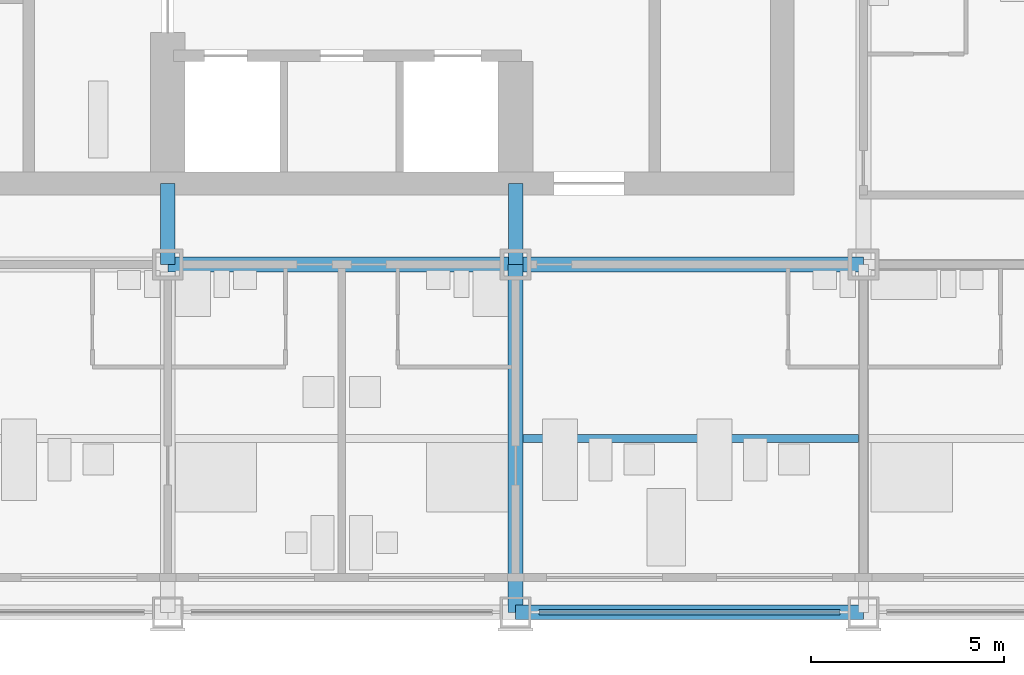
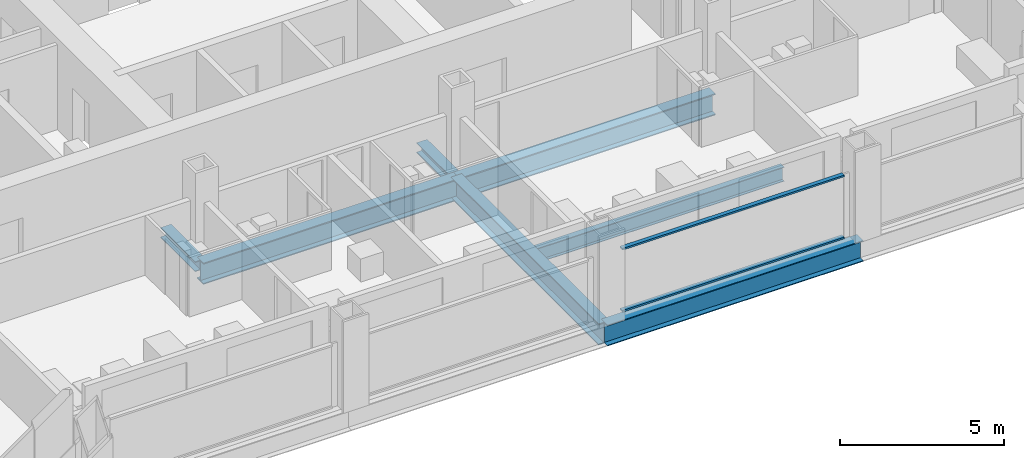
# One storey, part 3 of 13: 5 beams, 4 members, 1 element without a shape of its own.
"""IFC4 building model written with IfcOpenShell, lengths in metres."""

from ifc_helpers import new_model, si_unit, direction, frame, origin, origin_2d, place, context, subcontext, project, spatial, rectangle, i_section, extrude, material, material_profile, profile_set, type_object, element, aggregate, save


model = new_model("IFC4")

# Units and contexts
model_context = context("Model", 3, precision=1e-05, world=origin(), true_north=direction((0.0, 1.0)))
body_context = subcontext(model_context, "Body", "Model", "MODEL_VIEW")
ifc_project = project(units=[si_unit("LENGTHUNIT", "METRE"), si_unit("AREAUNIT", "SQUARE_METRE"), si_unit("VOLUMEUNIT", "CUBIC_METRE"), si_unit("PLANEANGLEUNIT", "RADIAN"), si_unit("MASSUNIT", "GRAM", prefix="KILO")], contexts=[model_context])

# Site, building, storey
site_placement = place(None, origin())
site = spatial("IfcSite", under=ifc_project, at=site_placement, CompositionType="ELEMENT")
building_placement = place(site_placement, origin())
building = spatial("IfcBuilding", under=site, at=building_placement, Name="Loomwork Tower", CompositionType="ELEMENT")
storey_placement = place(building_placement, frame((0.0, 0.0, 218.199951171875)))
storey = spatial("IfcBuildingStorey", under=building, at=storey_placement, Name="L60", CompositionType="ELEMENT", Elevation=218.199951171875)

# Beams
ifc_material_1 = material(Name="Steel ASTM A992", Category="steel")
ifc_material_profile_1 = material_profile(ifc_material_1, i_section(OverallWidth=0.383544921875, OverallDepth=0.794921875, WebThickness=0.02099609375, FlangeThickness=0.0380859375, at=origin_2d()), Name="W30x235")
ifc_profile_set_1 = profile_set([ifc_material_profile_1], Name="Steel ASTM A992")
beam_type_1 = type_object("IfcBeamType", Name="CORE FLANK GIRDER W30x235", PredefinedType="BEAM", material=ifc_profile_set_1)
for number, where, z_axis, x_axis, name in (
    (1, (18.0, 9.0, -0.597412109375), (1.0, 0.0, 0.0), (0.0, 1.0, 0.0), "Core Flank Girder E/4-E/5 L60"),
    (2, (27.0, 9.0, -0.597412109375), (1.0, 0.0, 0.0), (0.0, 1.0, 0.0), "Core Flank Girder E/5-E/6 L60"),
    (3, (27.0, 0.0, -0.597412109375), (0.0, 1.0, 0.0), (-1.0, 0.0, 0.0), "Core Flank Girder D/5-E/5 L60"),
):
    element("IfcBeam", number, at=place(storey_placement, frame(where, z_axis=z_axis, x_axis=x_axis)), inside=storey, type_object=beam_type_1, Name=name, PredefinedType="BEAM", context=body_context, shape_type="SweptSolid", body=[
        extrude(i_section(OverallWidth=0.383544921875, OverallDepth=0.794921875, WebThickness=0.02099609375, FlangeThickness=0.0380859375, at=origin_2d()), origin(), (0.0, 0.0, 1.0), 9.0),
    ])

# Members
ifc_material_2 = material(Name="Steel ASTM A992", Category="steel")
ifc_material_profile_2 = material_profile(ifc_material_2, i_section(OverallWidth=0.373291015625, OverallDepth=0.373291015625, WebThickness=0.016357421875, FlangeThickness=0.026123046875, at=origin_2d()), Name="W14x132")
ifc_profile_set_2 = profile_set([ifc_material_profile_2], Name="Steel ASTM A992")
member_type_1 = type_object("IfcMemberType", Name="CORE LINK STRUT W14x132", PredefinedType="STRUT", material=ifc_profile_set_2)
for number, where, z_axis, x_axis, name in (
    (4, (27.0, 9.0, -0.38671875), (0.0, 1.0, 0.0), (-1.0, 0.0, 0.0), "Core link strut E/5-27.000,11.100 L60"),
    (5, (18.0, 9.0, -0.38671875), (0.0, 1.0, 0.0), (-1.0, 0.0, 0.0), "Core link strut E/4-18.000,11.100 L60"),
):
    element("IfcMember", number, at=place(storey_placement, frame(where, z_axis=z_axis, x_axis=x_axis)), inside=storey, type_object=member_type_1, Name=name, PredefinedType="STRUT", context=body_context, shape_type="SweptSolid", body=[
        extrude(i_section(OverallWidth=0.373291015625, OverallDepth=0.373291015625, WebThickness=0.016357421875, FlangeThickness=0.026123046875, at=origin_2d()), origin(), (0.0, 0.0, 1.0), 2.10009765625),
    ])

# Beam
ifc_material_3 = material(Name="Steel ASTM A992", Category="steel")
ifc_material_profile_3 = material_profile(ifc_material_3, i_section(OverallWidth=0.2109375, OverallDepth=0.53857421875, WebThickness=0.011474609375, FlangeThickness=0.018798828125, at=origin_2d()), Name="W21x73")
ifc_profile_set_3 = profile_set([ifc_material_profile_3], Name="Steel ASTM A992")
beam_type_2 = type_object("IfcBeamType", Name="FLOOR JOIST W21x73", PredefinedType="JOIST", material=ifc_profile_set_3)
beam_1_placement = place(storey_placement, frame((27.19091796875, 4.5, -0.46923828125), z_axis=(1.0, 0.0, 0.0), x_axis=(0.0, 1.0, 0.0)))
element("IfcBeam", 6, at=beam_1_placement, inside=storey, type_object=beam_type_2, Name="Floor Joist 27.000,4.500-36.000,4.500 L60", PredefinedType="JOIST", context=body_context, shape_type="SweptSolid", body=[
    extrude(i_section(OverallWidth=0.2109375, OverallDepth=0.53857421875, WebThickness=0.011474609375, FlangeThickness=0.018798828125, at=origin_2d()), origin(), (0.0, 0.0, 1.0), 8.676025390625),
])

# Curtain wall, members
ifc_material_4 = material(Name="Aluminium curtain wall frame", Category="aluminium")
curtain_wall_type = type_object("IfcCurtainWallType", Name="Outer skin glazing hotel", PredefinedType="NOTDEFINED", material=ifc_material_4)
curtain_wall_placement = place(storey_placement, origin())
curtain_wall = element("IfcCurtainWall", 7, at=curtain_wall_placement, inside=storey, type_object=curtain_wall_type, Name="Outer skin glazing hotel cw/S-27", PredefinedType="NOTDEFINED")
ifc_material_5 = material(Name="Aluminium curtain wall frame", Category="aluminium")
ifc_material_profile_4 = material_profile(ifc_material_5, rectangle(XDim=0.14990234375, YDim=0.06494140625, at=origin_2d()), Name="AL 65x150")
ifc_profile_set_4 = profile_set([ifc_material_profile_4], Name="Aluminium curtain wall frame")
member_type_2 = type_object("IfcMemberType", Name="Outer skin glazing hotel transom", PredefinedType="USERDEFINED", material=ifc_profile_set_4)
member_1_placement = place(storey_placement, frame((27.60009765625, 0.0, 0.032470703125), z_axis=(1.0, 0.0, 0.0), x_axis=(0.0, 1.0, 0.0)))
member_1 = element("IfcMember", 8, at=member_1_placement, type_object=member_type_2, Name="CW1 transom 1.1", ObjectType="TRANSOM", PredefinedType="USERDEFINED", context=body_context, shape_type="SweptSolid", body=[
    extrude(rectangle(XDim=0.14990234375, YDim=0.06494140625, at=origin_2d()), origin(), (0.0, 0.0, 1.0), 7.7998046875),
])
member_2_placement = place(storey_placement, frame((27.60009765625, 0.0, 2.337646484375), z_axis=(1.0, 0.0, 0.0), x_axis=(0.0, 1.0, 0.0)))
member_2 = element("IfcMember", 9, at=member_2_placement, type_object=member_type_2, Name="CW1 transom 1.2", ObjectType="TRANSOM", PredefinedType="USERDEFINED", context=body_context, shape_type="SweptSolid", body=[
    extrude(rectangle(XDim=0.14990234375, YDim=0.06494140625, at=origin_2d()), origin(), (0.0, 0.0, 1.0), 7.7998046875),
])
aggregate(curtain_wall, [member_1, member_2])

# Beam
ifc_material_6 = material(Name="Steel ASTM A992", Category="steel")
ifc_material_profile_5 = material_profile(ifc_material_6, i_section(OverallWidth=0.381103515625, OverallDepth=0.77978515625, WebThickness=0.01806640625, FlangeThickness=0.0302734375, at=origin_2d()), Name="W30x191")
ifc_profile_set_5 = profile_set([ifc_material_profile_5], Name="Steel ASTM A992")
beam_type_3 = type_object("IfcBeamType", Name="SPANDREL GIRDER W30x191", PredefinedType="SPANDREL", material=ifc_profile_set_5)
beam_2_placement = place(storey_placement, frame((27.0, 0.0, -0.58984375), z_axis=(1.0, 0.0, 0.0), x_axis=(0.0, 1.0, 0.0)))
element("IfcBeam", 10, at=beam_2_placement, inside=storey, type_object=beam_type_3, Name="Spandrel Girder D/5-D/6 L60", PredefinedType="SPANDREL", context=body_context, shape_type="SweptSolid", body=[
    extrude(i_section(OverallWidth=0.381103515625, OverallDepth=0.77978515625, WebThickness=0.01806640625, FlangeThickness=0.0302734375, at=origin_2d()), origin(), (0.0, 0.0, 1.0), 9.0),
])

save(model, "model.ifc")
